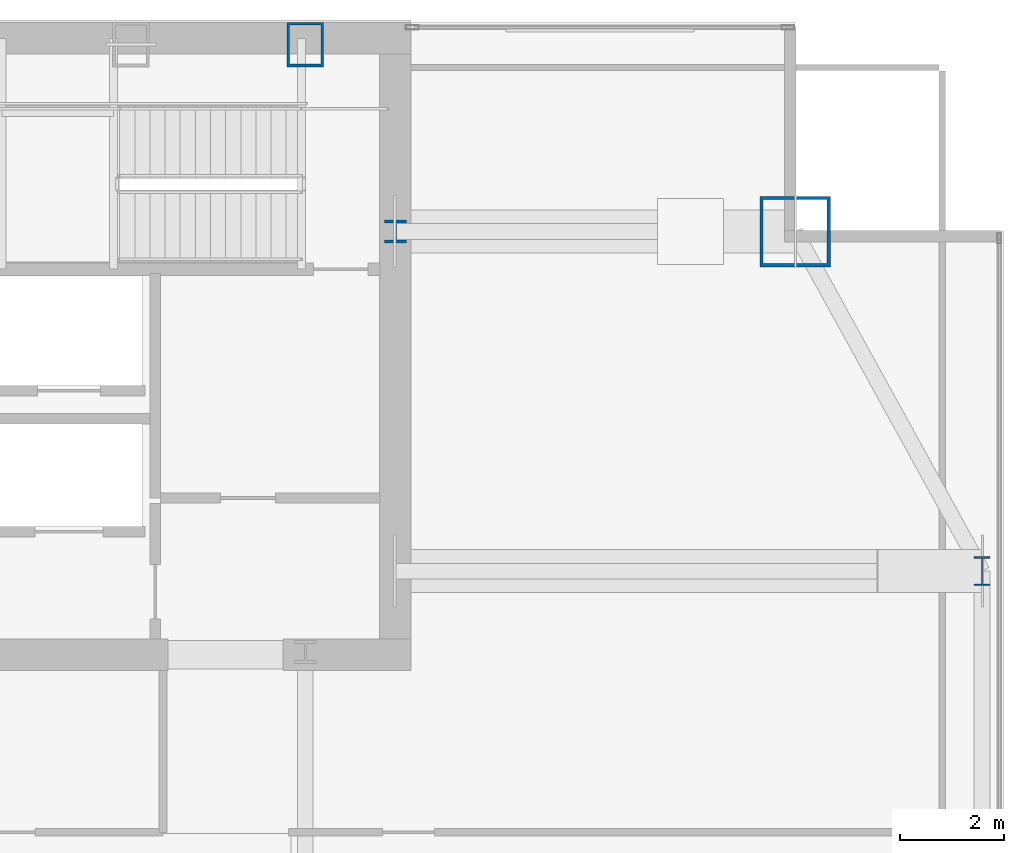
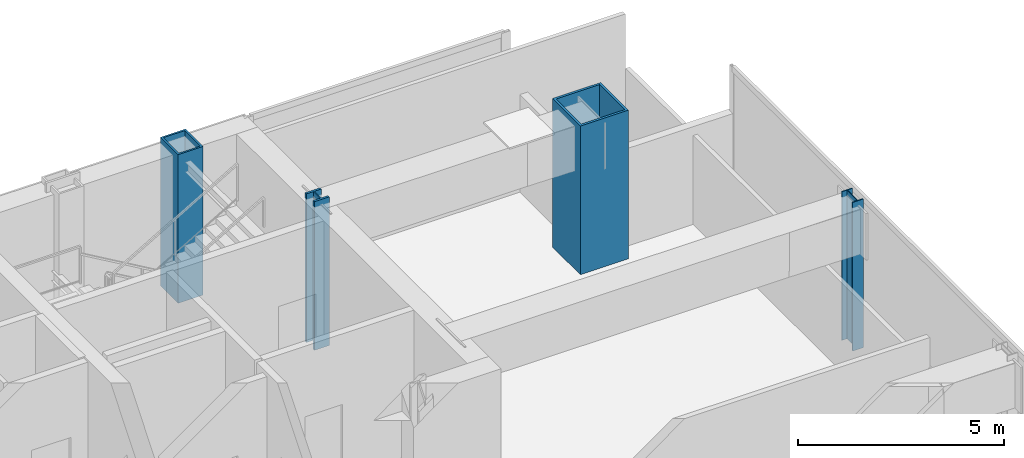
# One storey, part 4 of 25: 4 columns.
"""IFC4 building model written with IfcOpenShell, lengths in metres."""

from ifc_helpers import new_model, si_unit, direction, frame, origin, origin_2d, place, context, subcontext, project, spatial, hollow_rectangle, i_section, extrude, material, material_profile, profile_set, type_object, element, save


model = new_model("IFC4")

# Units and contexts
model_context = context("Model", 3, precision=1e-05, world=origin(), true_north=direction((0.0, 1.0)))
body_context = subcontext(model_context, "Body", "Model", "MODEL_VIEW")
ifc_project = project(units=[si_unit("LENGTHUNIT", "METRE"), si_unit("AREAUNIT", "SQUARE_METRE"), si_unit("VOLUMEUNIT", "CUBIC_METRE"), si_unit("PLANEANGLEUNIT", "RADIAN"), si_unit("MASSUNIT", "GRAM", prefix="KILO")], contexts=[model_context])

# Site, building, storey
site_placement = place(None, origin())
site = spatial("IfcSite", under=ifc_project, at=site_placement, CompositionType="ELEMENT")
building_placement = place(site_placement, origin())
building = spatial("IfcBuilding", under=site, at=building_placement, Name="Khoronbel Lancet Exchange", CompositionType="ELEMENT")
storey_placement = place(building_placement, frame((0.0, 0.0, 184.199951171875)))
storey = spatial("IfcBuildingStorey", under=building, at=storey_placement, Name="L46", CompositionType="ELEMENT", Elevation=184.199951171875)

# Columns
ifc_material_1 = material(Name="Steel S460", Category="steel")
ifc_material_profile_1 = material_profile(ifc_material_1, hollow_rectangle(XDim=0.699951171875, YDim=0.85009765625, WallThickness=0.050048828125, at=origin_2d()), Name="BOX 850x700x50")
ifc_profile_set_1 = profile_set([ifc_material_profile_1], Name="Steel S460")
column_type_1 = type_object("IfcColumnType", Name="COL-EC2", PredefinedType="COLUMN", material=ifc_profile_set_1)
column_1_placement = place(storey_placement, frame((54.675048828125, 53.280029296875, 0.0), z_axis=(0.0, 0.0, 1.0), x_axis=(1.0, 0.0, 0.0)))
element("IfcColumn", 1, at=column_1_placement, inside=storey, type_object=column_type_1, Name="Structural column NC-E2 L46", PredefinedType="COLUMN", context=body_context, shape_type="SweptSolid", body=[
    extrude(hollow_rectangle(XDim=0.699951171875, YDim=0.85009765625, WallThickness=0.050048828125, at=origin_2d()), origin(), (0.0, 0.0, 1.0), 4.400146484375),
])
ifc_material_profile_2 = material_profile(ifc_material_1, i_section(OverallWidth=0.416015625, OverallDepth=0.446044921875, WebThickness=0.0390625, FlangeThickness=0.062744140625, at=origin_2d()), Name="HD 400x509")
ifc_profile_set_2 = profile_set([ifc_material_profile_2], Name="Steel S460")
column_type_2 = type_object("IfcColumnType", Name="COL-IC2", PredefinedType="COLUMN", material=ifc_profile_set_2)
column_2_placement = place(storey_placement, frame((56.39990234375, 49.699951171875, 0.0), z_axis=(0.0, 0.0, 1.0), x_axis=(1.0, 0.0, 0.0)))
element("IfcColumn", 2, at=column_2_placement, inside=storey, type_object=column_type_2, Name="Core-flank plumb transfer column CFE L46", PredefinedType="COLUMN", context=body_context, shape_type="SweptSolid", body=[
    extrude(i_section(OverallWidth=0.416015625, OverallDepth=0.446044921875, WebThickness=0.0390625, FlangeThickness=0.062744140625, at=origin_2d()), origin(), (0.0, 0.0, 1.0), 4.400146484375),
])
ifc_material_2 = material(Name="Steel S355", Category="steel")
ifc_material_profile_3 = material_profile(ifc_material_2, i_section(OverallWidth=0.300048828125, OverallDepth=0.550048828125, WebThickness=0.014892578125, FlangeThickness=0.029052734375, at=origin_2d()), Name="HEB 550")
ifc_profile_set_3 = profile_set([ifc_material_profile_3], Name="Steel S355")
column_type_3 = type_object("IfcColumnType", Name="COL-LC1", PredefinedType="COLUMN", material=ifc_profile_set_3)
column_3_placement = place(storey_placement, frame((67.6298828125, 43.199951171875, 0.0), z_axis=(0.0, 0.0, 1.0), x_axis=(1.0, 0.0, 0.0)))
element("IfcColumn", 3, at=column_3_placement, inside=storey, type_object=column_type_3, Name="Structural column EC-4 L46", PredefinedType="COLUMN", context=body_context, shape_type="SweptSolid", body=[
    extrude(i_section(OverallWidth=0.300048828125, OverallDepth=0.550048828125, WebThickness=0.014892578125, FlangeThickness=0.029052734375, at=origin_2d()), origin(), (0.0, 0.0, 1.0), 4.400146484375),
])
ifc_material_profile_4 = material_profile(ifc_material_1, hollow_rectangle(XDim=1.35009765625, YDim=1.35009765625, WallThickness=0.06494140625, at=origin_2d()), Name="BOX 1350x1350x65")
ifc_profile_set_4 = profile_set([ifc_material_profile_4], Name="Steel S460")
column_type_4 = type_object("IfcColumnType", Name="COL-MC4", PredefinedType="COLUMN", material=ifc_profile_set_4)
column_4_placement = place(storey_placement, frame((64.050048828125, 49.699951171875, 0.0), z_axis=(0.0, 0.0, 1.0), x_axis=(1.0, 0.0, 0.0)))
element("IfcColumn", 4, at=column_4_placement, inside=storey, type_object=column_type_4, Name="Structural column MC-NE L46", PredefinedType="COLUMN", context=body_context, shape_type="SweptSolid", body=[
    extrude(hollow_rectangle(XDim=1.35009765625, YDim=1.35009765625, WallThickness=0.06494140625, at=origin_2d()), origin(), (0.0, 0.0, 1.0), 4.400146484375),
])

save(model, "model.ifc")
